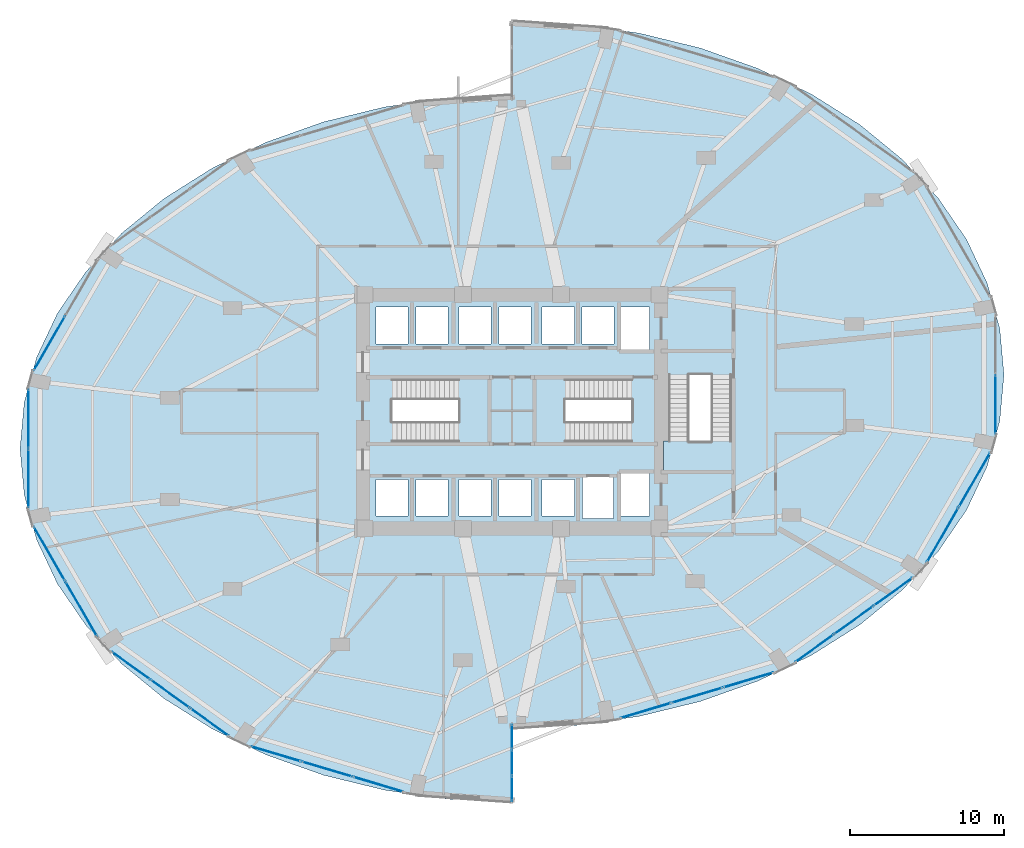
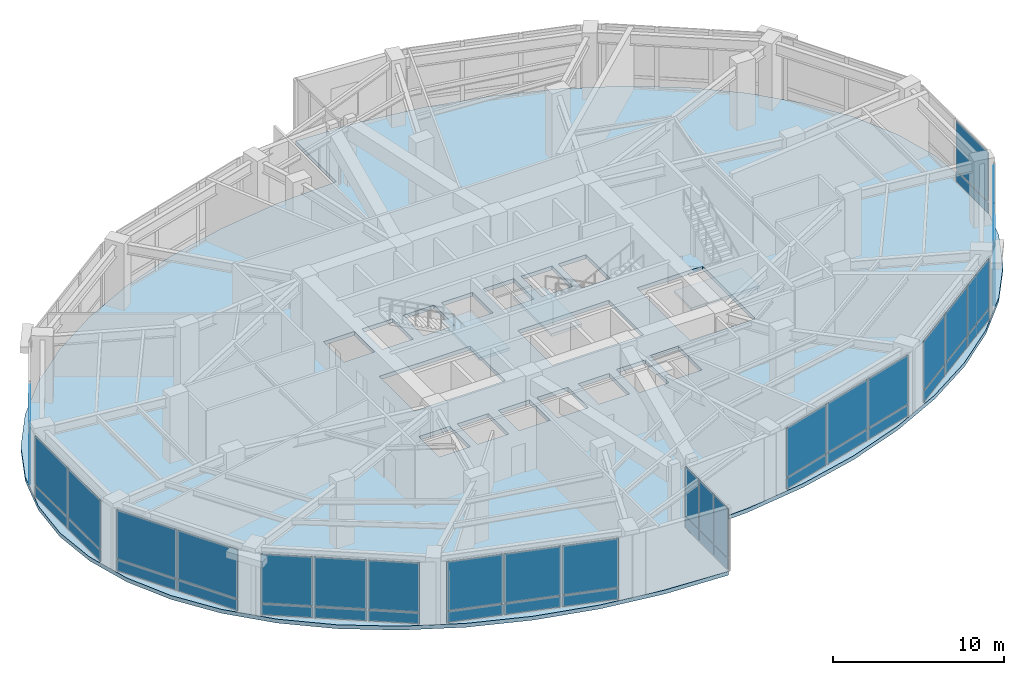
# One storey, part 19 of 24: 46 plates, 4 slabs, 13 elements without a shape of their own.
"""IFC4 building model written with IfcOpenShell, lengths in metres."""

import ifcopenshell
import ifcopenshell.guid

model = None  # the IFC model being written
_history = None  # IfcOwnerHistory: only IFC2X3 demands one
_inside = {}  # id of a spatial element -> (the spatial element, [elements in it])
_under = {}  # id of a project, library or spatial element -> (it, [spatial elements below it])
_declared = {}  # id of a project -> (the project, [libraries it declares])
_typed = {}  # id of a type object -> (the type object, [elements of that type])
_made_of = {}  # id of a material, layer set ... -> (it, [elements and type objects made of it])


def new_model(schema):
    """Start an empty IFC model of exactly this schema.

    Asked for "IFC4X3", IfcOpenShell would pick the latest addendum, in which some entities
    have other attributes; the version numbers below select the first issue.
    IFC2X3 requires an IfcOwnerHistory on every rooted entity: one is made here for all.
    """
    global model, _history
    if schema == "IFC4X3":
        model = ifcopenshell.file(schema_version=(4, 3, 0, 0))
    else:
        model = ifcopenshell.file(schema=schema)
    _inside.clear()
    _under.clear()
    _declared.clear()
    _typed.clear()
    _made_of.clear()
    _history = None
    if model.schema == "IFC2X3":
        org = make("IfcOrganization", Name="unknown")
        user = make(
            "IfcPersonAndOrganization",
            ThePerson=make("IfcPerson", FamilyName="unknown"),
            TheOrganization=org,
        )
        app = make(
            "IfcApplication",
            ApplicationDeveloper=org,
            Version="unknown",
            ApplicationFullName="unknown",
            ApplicationIdentifier="unknown",
        )
        _history = make(
            "IfcOwnerHistory",
            OwningUser=user,
            OwningApplication=app,
            ChangeAction="ADDED",
            CreationDate=0,
        )
    return model


def make(cls, **values):
    """One entity of the class cls with the attributes given. An attribute that is None is left unset."""
    return model.create_entity(
        cls, **{name: value for name, value in values.items() if value is not None}
    )


def rooted(cls, **values):
    """An entity with a GlobalId (a new one), such as an element, a storey or a relation."""
    return make(cls, GlobalId=ifcopenshell.guid.new(), OwnerHistory=_history, **values)


def si_unit(unit_type, name, prefix=None):
    """IfcSIUnit, for example si_unit("LENGTHUNIT", "METRE", prefix="MILLI")."""
    return make("IfcSIUnit", UnitType=unit_type, Prefix=prefix, Name=name)


def assignment(units):
    """IfcUnitAssignment: the units of a project."""
    return None if units is None else make("IfcUnitAssignment", Units=units)


def point(xyz):
    """IfcCartesianPoint."""
    return None if xyz is None else make("IfcCartesianPoint", Coordinates=xyz)


def direction(xyz):
    """IfcDirection."""
    return None if xyz is None else make("IfcDirection", DirectionRatios=xyz)


def frame(location, z_axis=None, x_axis=None):
    """IfcAxis2Placement3D, a coordinate frame: its origin and axes. An axis left out is left unset."""
    return make(
        "IfcAxis2Placement3D",
        Location=point(location),
        Axis=direction(z_axis),
        RefDirection=direction(x_axis),
    )


def frame_2d(location, x_axis=None):
    """IfcAxis2Placement2D, a coordinate frame in the plane: its origin and x axis."""
    return make(
        "IfcAxis2Placement2D", Location=point(location), RefDirection=direction(x_axis)
    )


def origin():
    """The frame at (0, 0, 0) with its axes left unset."""
    return frame((0.0, 0.0, 0.0))


def origin_2d():
    """The frame at (0, 0) in the plane with its x axis left unset."""
    return frame_2d((0.0, 0.0))


def place(relative_to, where):
    """IfcLocalPlacement: puts the frame where relative to a parent placement (None: the world)."""
    return make(
        "IfcLocalPlacement", PlacementRelTo=relative_to, RelativePlacement=where
    )


def context(
    kind, dimensions, precision=None, world=None, true_north=None, identifier=None
):
    """IfcGeometricRepresentationContext, for example the 3D "Model" context."""
    return make(
        "IfcGeometricRepresentationContext",
        ContextIdentifier=identifier,
        ContextType=kind,
        CoordinateSpaceDimension=dimensions,
        Precision=precision,
        WorldCoordinateSystem=world,
        TrueNorth=true_north,
    )


def subcontext(parent, identifier, kind, view, scale=None):
    """IfcGeometricRepresentationSubContext, for example "Body" below "Model"."""
    return make(
        "IfcGeometricRepresentationSubContext",
        ContextIdentifier=identifier,
        ContextType=kind,
        ParentContext=parent,
        TargetScale=scale,
        TargetView=view,
    )


def project(units=None, contexts=None):
    """IfcProject with its units and contexts."""
    return rooted(
        "IfcProject",
        Name="project",
        RepresentationContexts=contexts,
        UnitsInContext=assignment(units),
    )


def spatial(cls, under=None, at=None, **own):
    """A site, building, storey or space (cls), placed at a placement, below another one or the project."""
    s = rooted(cls, ObjectPlacement=at, **own)
    if under is not None:
        _under.setdefault(under.id(), (under, []))[1].append(s)
    return s


def polyline(points):
    """IfcPolyline through the points."""
    return make("IfcPolyline", Points=[point(p) for p in points])


def profile(cls, at=None, kind="AREA", **sizes):
    """A parametric profile (cls). Its sizes go by their IFC names, for example OverallWidth=200.0."""
    return make(cls, ProfileType=kind, Position=at, **sizes)


def rectangle(**sizes):
    """IfcRectangleProfileDef."""
    return profile("IfcRectangleProfileDef", **sizes)


def outline(outer, holes=None, kind="AREA"):
    """IfcArbitraryClosedProfileDef: a profile drawn as a closed curve; with holes, ...WithVoids."""
    if holes is None:
        return make("IfcArbitraryClosedProfileDef", ProfileType=kind, OuterCurve=outer)
    return make(
        "IfcArbitraryProfileDefWithVoids",
        ProfileType=kind,
        OuterCurve=outer,
        InnerCurves=holes,
    )


def extrude(swept, where, along, depth):
    """IfcExtrudedAreaSolid: the profile swept, set in the frame where, extruded along a direction by depth."""
    return make(
        "IfcExtrudedAreaSolid",
        SweptArea=swept,
        Position=where,
        ExtrudedDirection=direction(along),
        Depth=depth,
    )


def shape(context_of_items, identifier, shape_type, items):
    """IfcShapeRepresentation: the items that make up one representation, for example the "Body"."""
    return make(
        "IfcShapeRepresentation",
        ContextOfItems=context_of_items,
        RepresentationIdentifier=identifier,
        RepresentationType=shape_type,
        Items=items,
    )


def material(Name=None, Category=None):
    """IfcMaterial."""
    return make("IfcMaterial", Name=Name, Category=Category)


def layer(
    of_material, thickness, ventilated=None, Name=None, Category=None, Priority=None
):
    """IfcMaterialLayer: one layer of a wall or slab, of a material (None: an air gap)."""
    return make(
        "IfcMaterialLayer",
        Material=of_material,
        LayerThickness=thickness,
        IsVentilated=ventilated,
        Name=Name,
        Category=Category,
        Priority=Priority,
    )


def layer_set(layers, Name=None):
    """IfcMaterialLayerSet."""
    return make("IfcMaterialLayerSet", MaterialLayers=layers, LayerSetName=Name)


def made_of(thing, what):
    """Note that an element or type object is made of a material, layer set ...; save() writes the relation."""
    if what is not None:
        _made_of.setdefault(what.id(), (what, []))[1].append(thing)
    return thing


def type_object(cls, material=None, **own):
    """A type object (cls), such as IfcWallType, which elements share."""
    return made_of(rooted(cls, **own), material)


def element(
    cls,
    number,
    at=None,
    inside=None,
    cuts=None,
    type_object=None,
    material=None,
    context=None,
    identifier="Body",
    shape_type=None,
    held_by="IfcProductDefinitionShape",
    body=None,
    shapes=None,
    **own,
):
    """One element of the class cls, such as IfcWall. Its Tag is "e" and its number.

    at: its placement. inside: the storey or other place that contains it. cuts: it is an
    opening in that element (IfcRelVoidsElement). A single representation is given by context,
    identifier, shape_type and body (its items); several are given by shapes. held_by: the class
    of the entity that holds the representations. save() writes the other relations.
    """
    e = rooted(cls, Tag="e%d" % number, ObjectPlacement=at, **own)
    if body is not None:
        shapes = [shape(context, identifier, shape_type, body)]
    if shapes is not None:
        e.Representation = make(held_by, Representations=shapes)
    if inside is not None:
        _inside.setdefault(inside.id(), (inside, []))[1].append(e)
    if cuts is not None:
        rooted(
            "IfcRelVoidsElement", RelatingBuildingElement=cuts, RelatedOpeningElement=e
        )
    if type_object is not None:
        _typed.setdefault(type_object.id(), (type_object, []))[1].append(e)
    return made_of(e, material)


def aggregate(whole, parts):
    """IfcRelAggregates: a whole, such as a stair, and the parts it consists of."""
    return rooted("IfcRelAggregates", RelatingObject=whole, RelatedObjects=parts)


def save(model, path):
    """Write the relations noted so far, then the file.

    IfcRelAggregates (storeys below a building ...), IfcRelContainedInSpatialStructure (elements
    in a storey), IfcRelDefinesByType, IfcRelAssociatesMaterial and IfcRelDeclares: one each for
    every whole, place, type object, material and project.
    """
    for whole, parts in _under.values():
        aggregate(whole, parts)
    for where, things in _inside.values():
        rooted(
            "IfcRelContainedInSpatialStructure",
            RelatedElements=things,
            RelatingStructure=where,
        )
    for kind, things in _typed.values():
        rooted("IfcRelDefinesByType", RelatedObjects=things, RelatingType=kind)
    for what, things in _made_of.values():
        rooted("IfcRelAssociatesMaterial", RelatedObjects=things, RelatingMaterial=what)
    for by, libraries in _declared.values():
        rooted("IfcRelDeclares", RelatingContext=by, RelatedDefinitions=libraries)
    model.write(path)


model = new_model("IFC4")

# Units and contexts
model_context = context("Model", 3, precision=1e-05, world=origin(), true_north=direction((0.0, 1.0)))
body_context = subcontext(model_context, "Body", "Model", "MODEL_VIEW")
ifc_project = project(units=[si_unit("LENGTHUNIT", "METRE"), si_unit("AREAUNIT", "SQUARE_METRE"), si_unit("VOLUMEUNIT", "CUBIC_METRE"), si_unit("PLANEANGLEUNIT", "RADIAN"), si_unit("MASSUNIT", "GRAM", prefix="KILO")], contexts=[model_context])

# Site, building, storey
site_placement = place(None, origin())
site = spatial("IfcSite", under=ifc_project, at=site_placement, CompositionType="ELEMENT")
building_placement = place(site_placement, origin())
building = spatial("IfcBuilding", under=site, at=building_placement, Name="Lazwardi Medical Tower", CompositionType="ELEMENT")
storey_placement = place(building_placement, frame((0.0, 0.0, 10.800048828125)))
storey = spatial("IfcBuildingStorey", under=building, at=storey_placement, Name="L02", CompositionType="ELEMENT", Elevation=10.800048828125)

# Curtain wall, plates
ifc_material_1 = material(Name="Anodised bronze aluminium and solar control glazing", Category="aluminium")
ifc_layer_1 = layer(ifc_material_1, 0.219970703125)
ifc_layer_set_1 = layer_set([ifc_layer_1], Name="Anodised bronze aluminium and solar control glazing")
curtain_wall_type_1 = type_object("IfcCurtainWallType", Name="CW-SYS-01", PredefinedType="NOTDEFINED", material=ifc_layer_set_1)
curtain_wall_1_placement = place(storey_placement, origin())
curtain_wall_1 = element("IfcCurtainWall", 1, at=curtain_wall_1_placement, inside=storey, type_object=curtain_wall_type_1, Name="L02 Unitised bronze curtain wall CW-01", PredefinedType="NOTDEFINED")
ifc_material_2 = material(Name="Bronze girih ceramic-frit spandrel glazing", Category="glass")
ifc_layer_2 = layer(ifc_material_2, 0.048095703125)
ifc_layer_set_2 = layer_set([ifc_layer_2], Name="Bronze girih ceramic-frit spandrel glazing")
plate_type_1 = type_object("IfcPlateType", Name="PLT-FRT-01", PredefinedType="CURTAIN_PANEL", material=ifc_layer_set_2)
plate_1_placement = place(storey_placement, frame((44.689453125, 8.552001953125, 0.0849609375), z_axis=(0.0, 0.0, 1.0), x_axis=(0.958513482597, 0.285047195531, 0.0)))
plate_1 = element("IfcPlate", 2, at=plate_1_placement, type_object=plate_type_1, Name="CW-01 panel 1.1", PredefinedType="CURTAIN_PANEL", context=body_context, shape_type="SweptSolid", body=[
    extrude(rectangle(XDim=3.380126953125, YDim=0.048095703125, at=origin_2d()), origin(), (0.0, 0.0, 1.0), 0.7724609375),
])
plate_2_placement = place(storey_placement, frame((48.031494140625, 9.5458984375, 0.0849609375), z_axis=(0.0, 0.0, 1.0), x_axis=(0.958513482597, 0.285047195531, 0.0)))
plate_2 = element("IfcPlate", 3, at=plate_2_placement, type_object=plate_type_1, Name="CW-01 panel 2.1", PredefinedType="CURTAIN_PANEL", context=body_context, shape_type="SweptSolid", body=[
    extrude(rectangle(XDim=3.422607421875, YDim=0.048095703125, at=origin_2d()), origin(), (0.0, 0.0, 1.0), 0.7724609375),
])
plate_3_placement = place(storey_placement, frame((51.373291015625, 10.539794921875, 0.0849609375), z_axis=(0.0, 0.0, 1.0), x_axis=(0.958513482597, 0.285047195531, 0.0)))
plate_3 = element("IfcPlate", 4, at=plate_3_placement, type_object=plate_type_1, Name="CW-01 panel 3.1", PredefinedType="CURTAIN_PANEL", context=body_context, shape_type="SweptSolid", body=[
    extrude(rectangle(XDim=3.380126953125, YDim=0.048095703125, at=origin_2d()), origin(), (0.0, 0.0, 1.0), 0.7724609375),
])

curtain_wall_2_placement = place(storey_placement, origin())
curtain_wall_2 = element("IfcCurtainWall", 5, at=curtain_wall_2_placement, inside=storey, type_object=curtain_wall_type_1, Name="L02 Unitised bronze curtain wall CW-01", PredefinedType="NOTDEFINED")
plate_4_placement = place(storey_placement, frame((55.675048828125, 12.603759765625, 0.0849609375), z_axis=(0.0, 0.0, 1.0), x_axis=(0.812318365083, 0.583214260584, 0.0)))
plate_4 = element("IfcPlate", 6, at=plate_4_placement, type_object=plate_type_1, Name="CW-01 panel 1.1", PredefinedType="CURTAIN_PANEL", context=body_context, shape_type="SweptSolid", body=[
    extrude(rectangle(XDim=3.040283203125, YDim=0.048095703125, at=origin_2d()), origin(), (0.0, 0.0, 1.0), 0.7724609375),
])
plate_5_placement = place(storey_placement, frame((58.231201171875, 14.43896484375, 0.0849609375), z_axis=(0.0, 0.0, 1.0), x_axis=(0.812318365083, 0.583214260584, 0.0)))
plate_5 = element("IfcPlate", 7, at=plate_5_placement, type_object=plate_type_1, Name="CW-01 panel 2.1", PredefinedType="CURTAIN_PANEL", context=body_context, shape_type="SweptSolid", body=[
    extrude(rectangle(XDim=3.082763671875, YDim=0.048095703125, at=origin_2d()), origin(), (0.0, 0.0, 1.0), 0.7724609375),
])
plate_6_placement = place(storey_placement, frame((60.787109375, 16.274169921875, 0.0849609375), z_axis=(0.0, 0.0, 1.0), x_axis=(0.812318365083, 0.583214260584, 0.0)))
plate_6 = element("IfcPlate", 8, at=plate_6_placement, type_object=plate_type_1, Name="CW-01 panel 3.1", PredefinedType="CURTAIN_PANEL", context=body_context, shape_type="SweptSolid", body=[
    extrude(rectangle(XDim=3.040283203125, YDim=0.048095703125, at=origin_2d()), origin(), (0.0, 0.0, 1.0), 0.7724609375),
])

curtain_wall_3_placement = place(storey_placement, origin())
curtain_wall_3 = element("IfcCurtainWall", 9, at=curtain_wall_3_placement, inside=storey, type_object=curtain_wall_type_1, Name="L02 Unitised bronze curtain wall CW-01", PredefinedType="NOTDEFINED")
plate_7_placement = place(storey_placement, frame((64.012451171875, 19.969970703125, 0.0849609375), z_axis=(0.0, 0.0, 1.0), x_axis=(0.499731082384, 0.866180607783, 0.0)))
plate_7 = element("IfcPlate", 10, at=plate_7_placement, type_object=plate_type_1, Name="CW-01 panel 1.1", PredefinedType="CURTAIN_PANEL", context=body_context, shape_type="SweptSolid", body=[
    extrude(rectangle(XDim=4.052734375, YDim=0.048095703125, at=origin_2d()), origin(), (0.0, 0.0, 1.0), 0.7724609375),
])
plate_8_placement = place(storey_placement, frame((66.080322265625, 23.553955078125, 0.0849609375), z_axis=(0.0, 0.0, 1.0), x_axis=(0.499731082384, 0.866180607783, 0.0)))
plate_8 = element("IfcPlate", 11, at=plate_8_placement, type_object=plate_type_1, Name="CW-01 panel 2.1", PredefinedType="CURTAIN_PANEL", context=body_context, shape_type="SweptSolid", body=[
    extrude(rectangle(XDim=4.052734375, YDim=0.048095703125, at=origin_2d()), origin(), (0.0, 0.0, 1.0), 0.7724609375),
])

# Curtain wall, plate
curtain_wall_4_placement = place(storey_placement, origin())
curtain_wall_4 = element("IfcCurtainWall", 12, at=curtain_wall_4_placement, inside=storey, type_object=curtain_wall_type_1, Name="L02 Unitised bronze curtain wall CW-01", PredefinedType="NOTDEFINED")
plate_9_placement = place(storey_placement, frame((67.439697265625, 28.461669921875, 0.0849609375), z_axis=(0.0, 0.0, 1.0), x_axis=(0.0, 1.0, 0.0)))
plate_9 = element("IfcPlate", 13, at=plate_9_placement, type_object=plate_type_1, Name="CW-01 panel 1.1", PredefinedType="CURTAIN_PANEL", context=body_context, shape_type="SweptSolid", body=[
    extrude(rectangle(XDim=3.791748046875, YDim=0.048095703125, at=origin_2d()), origin(), (0.0, 0.0, 1.0), 0.7724609375),
])

curtain_wall_5_placement = place(storey_placement, origin())
curtain_wall_5 = element("IfcCurtainWall", 14, at=curtain_wall_5_placement, inside=storey, type_object=curtain_wall_type_1, Name="L02 Unitised bronze curtain wall CW-01", PredefinedType="NOTDEFINED")
plate_10_placement = place(storey_placement, frame((5.919677734375, 32.446044921875, 0.0849609375), z_axis=(0.0, 0.0, 1.0), x_axis=(-0.499731082384, -0.866180607783, 0.0)))
plate_10 = element("IfcPlate", 15, at=plate_10_placement, type_object=plate_type_1, Name="CW-01 panel 2.1", PredefinedType="CURTAIN_PANEL", context=body_context, shape_type="SweptSolid", body=[
    extrude(rectangle(XDim=4.052734375, YDim=0.048095703125, at=origin_2d()), origin(), (0.0, 0.0, 1.0), 0.7724609375),
])

# Curtain wall, plates
curtain_wall_6_placement = place(storey_placement, origin())
curtain_wall_6 = element("IfcCurtainWall", 16, at=curtain_wall_6_placement, inside=storey, type_object=curtain_wall_type_1, Name="L02 Unitised bronze curtain wall CW-01", PredefinedType="NOTDEFINED")
plate_11_placement = place(storey_placement, frame((4.560302734375, 27.538330078125, 0.0849609375), z_axis=(0.0, 0.0, 1.0), x_axis=(0.0, -1.0, 0.0)))
plate_11 = element("IfcPlate", 17, at=plate_11_placement, type_object=plate_type_1, Name="CW-01 panel 1.1", PredefinedType="CURTAIN_PANEL", context=body_context, shape_type="SweptSolid", body=[
    extrude(rectangle(XDim=3.791748046875, YDim=0.048095703125, at=origin_2d()), origin(), (0.0, 0.0, 1.0), 0.7724609375),
])
plate_12_placement = place(storey_placement, frame((4.560302734375, 23.66162109375, 0.0849609375), z_axis=(0.0, 0.0, 1.0), x_axis=(0.0, -1.0, 0.0)))
plate_12 = element("IfcPlate", 18, at=plate_12_placement, type_object=plate_type_1, Name="CW-01 panel 2.1", PredefinedType="CURTAIN_PANEL", context=body_context, shape_type="SweptSolid", body=[
    extrude(rectangle(XDim=3.791748046875, YDim=0.048095703125, at=origin_2d()), origin(), (0.0, 0.0, 1.0), 0.7724609375),
])

curtain_wall_7_placement = place(storey_placement, origin())
curtain_wall_7 = element("IfcCurtainWall", 19, at=curtain_wall_7_placement, inside=storey, type_object=curtain_wall_type_1, Name="L02 Unitised bronze curtain wall CW-01", PredefinedType="NOTDEFINED")
plate_13_placement = place(storey_placement, frame((5.919677734375, 18.75390625, 0.0849609375), z_axis=(0.0, 0.0, 1.0), x_axis=(0.499731082384, -0.866180607783, 0.0)))
plate_13 = element("IfcPlate", 20, at=plate_13_placement, type_object=plate_type_1, Name="CW-01 panel 1.1", PredefinedType="CURTAIN_PANEL", context=body_context, shape_type="SweptSolid", body=[
    extrude(rectangle(XDim=4.052734375, YDim=0.048095703125, at=origin_2d()), origin(), (0.0, 0.0, 1.0), 0.7724609375),
])
plate_14_placement = place(storey_placement, frame((7.987548828125, 15.169921875, 0.0849609375), z_axis=(0.0, 0.0, 1.0), x_axis=(0.499731082384, -0.866180607783, 0.0)))
plate_14 = element("IfcPlate", 21, at=plate_14_placement, type_object=plate_type_1, Name="CW-01 panel 2.1", PredefinedType="CURTAIN_PANEL", context=body_context, shape_type="SweptSolid", body=[
    extrude(rectangle(XDim=4.052734375, YDim=0.048095703125, at=origin_2d()), origin(), (0.0, 0.0, 1.0), 0.7724609375),
])

curtain_wall_8_placement = place(storey_placement, origin())
curtain_wall_8 = element("IfcCurtainWall", 22, at=curtain_wall_8_placement, inside=storey, type_object=curtain_wall_type_1, Name="L02 Unitised bronze curtain wall CW-01", PredefinedType="NOTDEFINED")
plate_15_placement = place(storey_placement, frame((11.212890625, 11.47412109375, 0.0849609375), z_axis=(0.0, 0.0, 1.0), x_axis=(0.812318365083, -0.583214260584, 0.0)))
plate_15 = element("IfcPlate", 23, at=plate_15_placement, type_object=plate_type_1, Name="CW-01 panel 1.1", PredefinedType="CURTAIN_PANEL", context=body_context, shape_type="SweptSolid", body=[
    extrude(rectangle(XDim=3.040283203125, YDim=0.048095703125, at=origin_2d()), origin(), (0.0, 0.0, 1.0), 0.7724609375),
])
plate_16_placement = place(storey_placement, frame((13.768798828125, 9.638916015625, 0.0849609375), z_axis=(0.0, 0.0, 1.0), x_axis=(0.812318365083, -0.583214260584, 0.0)))
plate_16 = element("IfcPlate", 24, at=plate_16_placement, type_object=plate_type_1, Name="CW-01 panel 2.1", PredefinedType="CURTAIN_PANEL", context=body_context, shape_type="SweptSolid", body=[
    extrude(rectangle(XDim=3.082763671875, YDim=0.048095703125, at=origin_2d()), origin(), (0.0, 0.0, 1.0), 0.7724609375),
])
plate_17_placement = place(storey_placement, frame((16.324951171875, 7.803955078125, 0.0849609375), z_axis=(0.0, 0.0, 1.0), x_axis=(0.812318365083, -0.583214260584, 0.0)))
plate_17 = element("IfcPlate", 25, at=plate_17_placement, type_object=plate_type_1, Name="CW-01 panel 3.1", PredefinedType="CURTAIN_PANEL", context=body_context, shape_type="SweptSolid", body=[
    extrude(rectangle(XDim=3.040283203125, YDim=0.048095703125, at=origin_2d()), origin(), (0.0, 0.0, 1.0), 0.7724609375),
])

curtain_wall_9_placement = place(storey_placement, origin())
curtain_wall_9 = element("IfcCurtainWall", 26, at=curtain_wall_9_placement, inside=storey, type_object=curtain_wall_type_1, Name="L02 Unitised bronze curtain wall CW-01", PredefinedType="NOTDEFINED")
plate_18_placement = place(storey_placement, frame((20.626708984375, 5.73974609375, 0.0849609375), z_axis=(0.0, 0.0, 1.0), x_axis=(0.958513482597, -0.285047195531, 0.0)))
plate_18 = element("IfcPlate", 27, at=plate_18_placement, type_object=plate_type_1, Name="CW-01 panel 1.1", PredefinedType="CURTAIN_PANEL", context=body_context, shape_type="SweptSolid", body=[
    extrude(rectangle(XDim=3.380126953125, YDim=0.048095703125, at=origin_2d()), origin(), (0.0, 0.0, 1.0), 0.7724609375),
])
plate_19_placement = place(storey_placement, frame((23.968505859375, 4.745849609375, 0.0849609375), z_axis=(0.0, 0.0, 1.0), x_axis=(0.958513482597, -0.285047195531, 0.0)))
plate_19 = element("IfcPlate", 28, at=plate_19_placement, type_object=plate_type_1, Name="CW-01 panel 2.1", PredefinedType="CURTAIN_PANEL", context=body_context, shape_type="SweptSolid", body=[
    extrude(rectangle(XDim=3.422607421875, YDim=0.048095703125, at=origin_2d()), origin(), (0.0, 0.0, 1.0), 0.7724609375),
])
plate_20_placement = place(storey_placement, frame((27.310546875, 3.752197265625, 0.0849609375), z_axis=(0.0, 0.0, 1.0), x_axis=(0.958513482597, -0.285047195531, 0.0)))
plate_20 = element("IfcPlate", 29, at=plate_20_placement, type_object=plate_type_1, Name="CW-01 panel 3.1", PredefinedType="CURTAIN_PANEL", context=body_context, shape_type="SweptSolid", body=[
    extrude(rectangle(XDim=3.380126953125, YDim=0.048095703125, at=origin_2d()), origin(), (0.0, 0.0, 1.0), 0.7724609375),
])

# Plate
ifc_material_3 = material(Name="Laminated acoustic bronze double glazing", Category="glass")
ifc_layer_3 = layer(ifc_material_3, 0.0419921875)
ifc_layer_set_3 = layer_set([ifc_layer_3], Name="Laminated acoustic bronze double glazing")
plate_type_2 = type_object("IfcPlateType", Name="PLT-GLZ-02", PredefinedType="CURTAIN_PANEL", material=ifc_layer_set_3)
plate_21_placement = place(storey_placement, frame((44.689453125, 8.552001953125, 0.9423828125), z_axis=(0.0, 0.0, 1.0), x_axis=(0.958513482597, 0.285047195531, 0.0)))
plate_21 = element("IfcPlate", 30, at=plate_21_placement, type_object=plate_type_2, Name="CW-01 panel 1.2", PredefinedType="CURTAIN_PANEL", context=body_context, shape_type="SweptSolid", body=[
    extrude(rectangle(XDim=3.380126953125, YDim=0.0419921875, at=origin_2d()), origin(), (0.0, 0.0, 1.0), 3.492431640625),
])

plate_22_placement = place(storey_placement, frame((48.031494140625, 9.5458984375, 0.9423828125), z_axis=(0.0, 0.0, 1.0), x_axis=(0.958513482597, 0.285047195531, 0.0)))
plate_22 = element("IfcPlate", 31, at=plate_22_placement, type_object=plate_type_2, Name="CW-01 panel 2.2", PredefinedType="CURTAIN_PANEL", context=body_context, shape_type="SweptSolid", body=[
    extrude(rectangle(XDim=3.422607421875, YDim=0.0419921875, at=origin_2d()), origin(), (0.0, 0.0, 1.0), 3.492431640625),
])

plate_23_placement = place(storey_placement, frame((51.373291015625, 10.539794921875, 0.9423828125), z_axis=(0.0, 0.0, 1.0), x_axis=(0.958513482597, 0.285047195531, 0.0)))
plate_23 = element("IfcPlate", 32, at=plate_23_placement, type_object=plate_type_2, Name="CW-01 panel 3.2", PredefinedType="CURTAIN_PANEL", context=body_context, shape_type="SweptSolid", body=[
    extrude(rectangle(XDim=3.380126953125, YDim=0.0419921875, at=origin_2d()), origin(), (0.0, 0.0, 1.0), 3.492431640625),
])

aggregate(curtain_wall_1, [plate_1, plate_21, plate_2, plate_22, plate_3, plate_23])

plate_24_placement = place(storey_placement, frame((55.675048828125, 12.603759765625, 0.9423828125), z_axis=(0.0, 0.0, 1.0), x_axis=(0.812318365083, 0.583214260584, 0.0)))
plate_24 = element("IfcPlate", 33, at=plate_24_placement, type_object=plate_type_2, Name="CW-01 panel 1.2", PredefinedType="CURTAIN_PANEL", context=body_context, shape_type="SweptSolid", body=[
    extrude(rectangle(XDim=3.040283203125, YDim=0.0419921875, at=origin_2d()), origin(), (0.0, 0.0, 1.0), 3.492431640625),
])

plate_25_placement = place(storey_placement, frame((58.231201171875, 14.43896484375, 0.9423828125), z_axis=(0.0, 0.0, 1.0), x_axis=(0.812318365083, 0.583214260584, 0.0)))
plate_25 = element("IfcPlate", 34, at=plate_25_placement, type_object=plate_type_2, Name="CW-01 panel 2.2", PredefinedType="CURTAIN_PANEL", context=body_context, shape_type="SweptSolid", body=[
    extrude(rectangle(XDim=3.082763671875, YDim=0.0419921875, at=origin_2d()), origin(), (0.0, 0.0, 1.0), 3.492431640625),
])

plate_26_placement = place(storey_placement, frame((60.787109375, 16.274169921875, 0.9423828125), z_axis=(0.0, 0.0, 1.0), x_axis=(0.812318365083, 0.583214260584, 0.0)))
plate_26 = element("IfcPlate", 35, at=plate_26_placement, type_object=plate_type_2, Name="CW-01 panel 3.2", PredefinedType="CURTAIN_PANEL", context=body_context, shape_type="SweptSolid", body=[
    extrude(rectangle(XDim=3.040283203125, YDim=0.0419921875, at=origin_2d()), origin(), (0.0, 0.0, 1.0), 3.492431640625),
])

aggregate(curtain_wall_2, [plate_4, plate_24, plate_5, plate_25, plate_6, plate_26])

plate_27_placement = place(storey_placement, frame((64.012451171875, 19.969970703125, 0.9423828125), z_axis=(0.0, 0.0, 1.0), x_axis=(0.499731082384, 0.866180607783, 0.0)))
plate_27 = element("IfcPlate", 36, at=plate_27_placement, type_object=plate_type_2, Name="CW-01 panel 1.2", PredefinedType="CURTAIN_PANEL", context=body_context, shape_type="SweptSolid", body=[
    extrude(rectangle(XDim=4.052734375, YDim=0.0419921875, at=origin_2d()), origin(), (0.0, 0.0, 1.0), 3.492431640625),
])

plate_28_placement = place(storey_placement, frame((66.080322265625, 23.553955078125, 0.9423828125), z_axis=(0.0, 0.0, 1.0), x_axis=(0.499731082384, 0.866180607783, 0.0)))
plate_28 = element("IfcPlate", 37, at=plate_28_placement, type_object=plate_type_2, Name="CW-01 panel 2.2", PredefinedType="CURTAIN_PANEL", context=body_context, shape_type="SweptSolid", body=[
    extrude(rectangle(XDim=4.052734375, YDim=0.0419921875, at=origin_2d()), origin(), (0.0, 0.0, 1.0), 3.492431640625),
])

aggregate(curtain_wall_3, [plate_7, plate_27, plate_8, plate_28])

plate_29_placement = place(storey_placement, frame((67.439697265625, 28.461669921875, 0.9423828125), z_axis=(0.0, 0.0, 1.0), x_axis=(0.0, 1.0, 0.0)))
plate_29 = element("IfcPlate", 38, at=plate_29_placement, type_object=plate_type_2, Name="CW-01 panel 1.2", PredefinedType="CURTAIN_PANEL", context=body_context, shape_type="SweptSolid", body=[
    extrude(rectangle(XDim=3.791748046875, YDim=0.0419921875, at=origin_2d()), origin(), (0.0, 0.0, 1.0), 3.492431640625),
])

aggregate(curtain_wall_4, [plate_9, plate_29])

plate_30_placement = place(storey_placement, frame((5.919677734375, 32.446044921875, 0.9423828125), z_axis=(0.0, 0.0, 1.0), x_axis=(-0.499731082384, -0.866180607783, 0.0)))
plate_30 = element("IfcPlate", 39, at=plate_30_placement, type_object=plate_type_2, Name="CW-01 panel 2.2", PredefinedType="CURTAIN_PANEL", context=body_context, shape_type="SweptSolid", body=[
    extrude(rectangle(XDim=4.052734375, YDim=0.0419921875, at=origin_2d()), origin(), (0.0, 0.0, 1.0), 3.492431640625),
])

aggregate(curtain_wall_5, [plate_10, plate_30])

plate_31_placement = place(storey_placement, frame((4.560302734375, 27.538330078125, 0.9423828125), z_axis=(0.0, 0.0, 1.0), x_axis=(0.0, -1.0, 0.0)))
plate_31 = element("IfcPlate", 40, at=plate_31_placement, type_object=plate_type_2, Name="CW-01 panel 1.2", PredefinedType="CURTAIN_PANEL", context=body_context, shape_type="SweptSolid", body=[
    extrude(rectangle(XDim=3.791748046875, YDim=0.0419921875, at=origin_2d()), origin(), (0.0, 0.0, 1.0), 3.492431640625),
])

plate_32_placement = place(storey_placement, frame((4.560302734375, 23.66162109375, 0.9423828125), z_axis=(0.0, 0.0, 1.0), x_axis=(0.0, -1.0, 0.0)))
plate_32 = element("IfcPlate", 41, at=plate_32_placement, type_object=plate_type_2, Name="CW-01 panel 2.2", PredefinedType="CURTAIN_PANEL", context=body_context, shape_type="SweptSolid", body=[
    extrude(rectangle(XDim=3.791748046875, YDim=0.0419921875, at=origin_2d()), origin(), (0.0, 0.0, 1.0), 3.492431640625),
])

aggregate(curtain_wall_6, [plate_11, plate_31, plate_12, plate_32])

plate_33_placement = place(storey_placement, frame((5.919677734375, 18.75390625, 0.9423828125), z_axis=(0.0, 0.0, 1.0), x_axis=(0.499731082384, -0.866180607783, 0.0)))
plate_33 = element("IfcPlate", 42, at=plate_33_placement, type_object=plate_type_2, Name="CW-01 panel 1.2", PredefinedType="CURTAIN_PANEL", context=body_context, shape_type="SweptSolid", body=[
    extrude(rectangle(XDim=4.052734375, YDim=0.0419921875, at=origin_2d()), origin(), (0.0, 0.0, 1.0), 3.492431640625),
])

plate_34_placement = place(storey_placement, frame((7.987548828125, 15.169921875, 0.9423828125), z_axis=(0.0, 0.0, 1.0), x_axis=(0.499731082384, -0.866180607783, 0.0)))
plate_34 = element("IfcPlate", 43, at=plate_34_placement, type_object=plate_type_2, Name="CW-01 panel 2.2", PredefinedType="CURTAIN_PANEL", context=body_context, shape_type="SweptSolid", body=[
    extrude(rectangle(XDim=4.052734375, YDim=0.0419921875, at=origin_2d()), origin(), (0.0, 0.0, 1.0), 3.492431640625),
])

aggregate(curtain_wall_7, [plate_13, plate_33, plate_14, plate_34])

plate_35_placement = place(storey_placement, frame((11.212890625, 11.47412109375, 0.9423828125), z_axis=(0.0, 0.0, 1.0), x_axis=(0.812318365083, -0.583214260584, 0.0)))
plate_35 = element("IfcPlate", 44, at=plate_35_placement, type_object=plate_type_2, Name="CW-01 panel 1.2", PredefinedType="CURTAIN_PANEL", context=body_context, shape_type="SweptSolid", body=[
    extrude(rectangle(XDim=3.040283203125, YDim=0.0419921875, at=origin_2d()), origin(), (0.0, 0.0, 1.0), 3.492431640625),
])

plate_36_placement = place(storey_placement, frame((13.768798828125, 9.638916015625, 0.9423828125), z_axis=(0.0, 0.0, 1.0), x_axis=(0.812318365083, -0.583214260584, 0.0)))
plate_36 = element("IfcPlate", 45, at=plate_36_placement, type_object=plate_type_2, Name="CW-01 panel 2.2", PredefinedType="CURTAIN_PANEL", context=body_context, shape_type="SweptSolid", body=[
    extrude(rectangle(XDim=3.082763671875, YDim=0.0419921875, at=origin_2d()), origin(), (0.0, 0.0, 1.0), 3.492431640625),
])

plate_37_placement = place(storey_placement, frame((16.324951171875, 7.803955078125, 0.9423828125), z_axis=(0.0, 0.0, 1.0), x_axis=(0.812318365083, -0.583214260584, 0.0)))
plate_37 = element("IfcPlate", 46, at=plate_37_placement, type_object=plate_type_2, Name="CW-01 panel 3.2", PredefinedType="CURTAIN_PANEL", context=body_context, shape_type="SweptSolid", body=[
    extrude(rectangle(XDim=3.040283203125, YDim=0.0419921875, at=origin_2d()), origin(), (0.0, 0.0, 1.0), 3.492431640625),
])

aggregate(curtain_wall_8, [plate_15, plate_35, plate_16, plate_36, plate_17, plate_37])

plate_38_placement = place(storey_placement, frame((20.626708984375, 5.73974609375, 0.9423828125), z_axis=(0.0, 0.0, 1.0), x_axis=(0.958513482597, -0.285047195531, 0.0)))
plate_38 = element("IfcPlate", 47, at=plate_38_placement, type_object=plate_type_2, Name="CW-01 panel 1.2", PredefinedType="CURTAIN_PANEL", context=body_context, shape_type="SweptSolid", body=[
    extrude(rectangle(XDim=3.380126953125, YDim=0.0419921875, at=origin_2d()), origin(), (0.0, 0.0, 1.0), 3.492431640625),
])

plate_39_placement = place(storey_placement, frame((23.968505859375, 4.745849609375, 0.9423828125), z_axis=(0.0, 0.0, 1.0), x_axis=(0.958513482597, -0.285047195531, 0.0)))
plate_39 = element("IfcPlate", 48, at=plate_39_placement, type_object=plate_type_2, Name="CW-01 panel 2.2", PredefinedType="CURTAIN_PANEL", context=body_context, shape_type="SweptSolid", body=[
    extrude(rectangle(XDim=3.422607421875, YDim=0.0419921875, at=origin_2d()), origin(), (0.0, 0.0, 1.0), 3.492431640625),
])

plate_40_placement = place(storey_placement, frame((27.310546875, 3.752197265625, 0.9423828125), z_axis=(0.0, 0.0, 1.0), x_axis=(0.958513482597, -0.285047195531, 0.0)))
plate_40 = element("IfcPlate", 49, at=plate_40_placement, type_object=plate_type_2, Name="CW-01 panel 3.2", PredefinedType="CURTAIN_PANEL", context=body_context, shape_type="SweptSolid", body=[
    extrude(rectangle(XDim=3.380126953125, YDim=0.0419921875, at=origin_2d()), origin(), (0.0, 0.0, 1.0), 3.492431640625),
])

aggregate(curtain_wall_9, [plate_18, plate_38, plate_19, plate_39, plate_20, plate_40])

# Curtain wall, plates
ifc_layer_4 = layer(ifc_material_1, 0.2099609375)
ifc_layer_set_4 = layer_set([ifc_layer_4], Name="Anodised bronze aluminium and solar control glazing")
curtain_wall_type_2 = type_object("IfcCurtainWallType", Name="CW-SYS-06", PredefinedType="NOTDEFINED", material=ifc_layer_set_4)
curtain_wall_10_placement = place(storey_placement, origin())
curtain_wall_10 = element("IfcCurtainWall", 50, at=curtain_wall_10_placement, inside=storey, type_object=curtain_wall_type_2, Name="L02 Unitised bronze curtain wall CW-06", PredefinedType="NOTDEFINED")
ifc_material_4 = material(Name="Turquoise glazed ceramic insulated panel", Category="glass")
ifc_layer_5 = layer(ifc_material_4, 0.053955078125)
ifc_layer_set_5 = layer_set([ifc_layer_5], Name="Turquoise glazed ceramic insulated panel")
plate_type_3 = type_object("IfcPlateType", Name="PLT-TRQ-01", PredefinedType="CURTAIN_PANEL", material=ifc_layer_set_5)
plate_41_placement = place(storey_placement, frame((36.0, 3.47216796875, 0.074951171875), z_axis=(0.0, 0.0, 1.0), x_axis=(0.0, 1.0, 0.0)))
plate_41 = element("IfcPlate", 51, at=plate_41_placement, type_object=plate_type_3, Name="CW-06 panel 1.1", PredefinedType="CURTAIN_PANEL", context=body_context, shape_type="SweptSolid", body=[
    extrude(rectangle(XDim=1.59423828125, YDim=0.053955078125, at=origin_2d()), origin(), (0.0, 0.0, 1.0), 0.78759765625),
])
plate_42_placement = place(storey_placement, frame((36.0, 3.47216796875, 0.9375), z_axis=(0.0, 0.0, 1.0), x_axis=(0.0, 1.0, 0.0)))
plate_42 = element("IfcPlate", 52, at=plate_42_placement, type_object=plate_type_3, Name="CW-06 panel 1.2", PredefinedType="CURTAIN_PANEL", context=body_context, shape_type="SweptSolid", body=[
    extrude(rectangle(XDim=1.59423828125, YDim=0.053955078125, at=origin_2d()), origin(), (0.0, 0.0, 1.0), 3.507568359375),
])
plate_43_placement = place(storey_placement, frame((36.0, 5.159912109375, 0.074951171875), z_axis=(0.0, 0.0, 1.0), x_axis=(0.0, 1.0, 0.0)))
plate_43 = element("IfcPlate", 53, at=plate_43_placement, type_object=plate_type_3, Name="CW-06 panel 2.1", PredefinedType="CURTAIN_PANEL", context=body_context, shape_type="SweptSolid", body=[
    extrude(rectangle(XDim=1.631591796875, YDim=0.053955078125, at=origin_2d()), origin(), (0.0, 0.0, 1.0), 0.78759765625),
])
plate_44_placement = place(storey_placement, frame((36.0, 5.159912109375, 0.9375), z_axis=(0.0, 0.0, 1.0), x_axis=(0.0, 1.0, 0.0)))
plate_44 = element("IfcPlate", 54, at=plate_44_placement, type_object=plate_type_3, Name="CW-06 panel 2.2", PredefinedType="CURTAIN_PANEL", context=body_context, shape_type="SweptSolid", body=[
    extrude(rectangle(XDim=1.631591796875, YDim=0.053955078125, at=origin_2d()), origin(), (0.0, 0.0, 1.0), 3.507568359375),
])
plate_45_placement = place(storey_placement, frame((36.0, 6.847900390625, 0.074951171875), z_axis=(0.0, 0.0, 1.0), x_axis=(0.0, 1.0, 0.0)))
plate_45 = element("IfcPlate", 55, at=plate_45_placement, type_object=plate_type_3, Name="CW-06 panel 3.1", PredefinedType="CURTAIN_PANEL", context=body_context, shape_type="SweptSolid", body=[
    extrude(rectangle(XDim=1.59423828125, YDim=0.053955078125, at=origin_2d()), origin(), (0.0, 0.0, 1.0), 0.78759765625),
])
plate_46_placement = place(storey_placement, frame((36.0, 6.847900390625, 0.9375), z_axis=(0.0, 0.0, 1.0), x_axis=(0.0, 1.0, 0.0)))
plate_46 = element("IfcPlate", 56, at=plate_46_placement, type_object=plate_type_3, Name="CW-06 panel 3.2", PredefinedType="CURTAIN_PANEL", context=body_context, shape_type="SweptSolid", body=[
    extrude(rectangle(XDim=1.59423828125, YDim=0.053955078125, at=origin_2d()), origin(), (0.0, 0.0, 1.0), 3.507568359375),
])
aggregate(curtain_wall_10, [plate_41, plate_42, plate_43, plate_44, plate_45, plate_46])

# Stair, slab
ifc_material_5 = material(Name="Concrete C45/55", Category="concrete")
stair_type = type_object("IfcStairType", Name="STR-POD", PredefinedType="HALF_TURN_STAIR", material=ifc_material_5)
stair_1_placement = place(storey_placement, origin())
stair_1 = element("IfcStair", 57, at=stair_1_placement, inside=storey, type_object=stair_type, Name="L02 Protected Exit Stair ST1", PredefinedType="HALF_TURN_STAIR")
ifc_layer_6 = layer(ifc_material_5, 0.199951171875)
ifc_layer_set_6 = layer_set([ifc_layer_6], Name="Concrete C45/55")
slab_type_1 = type_object("IfcSlabType", Name="SLB-LND-190", PredefinedType="LANDING", material=ifc_layer_set_6)
slab_1_placement = place(storey_placement, frame((0.0, 0.0, 2.199951171875)))
slab_1 = element("IfcSlab", 58, at=slab_1_placement, type_object=slab_type_1, Name="ST1 landing 1", PredefinedType="LANDING", context=body_context, shape_type="SweptSolid", body=[
    extrude(outline(polyline([(32.514892578125, 25.840087890625), (34.580078125, 25.840087890625), (34.580078125, 30.280029296875), (32.514892578125, 30.280029296875), (32.514892578125, 25.840087890625)])), origin(), (0.0, 0.0, 1.0), 0.199951171875),
])
aggregate(stair_1, [slab_1])

stair_2_placement = place(storey_placement, origin())
stair_2 = element("IfcStair", 59, at=stair_2_placement, inside=storey, type_object=stair_type, Name="L02 Protected Exit Stair ST2", PredefinedType="HALF_TURN_STAIR")
slab_2_placement = place(storey_placement, frame((0.0, 0.0, 2.199951171875)))
slab_2 = element("IfcSlab", 60, at=slab_2_placement, type_object=slab_type_1, Name="ST2 landing 1", PredefinedType="LANDING", context=body_context, shape_type="SweptSolid", body=[
    extrude(outline(polyline([(39.485107421875, 30.280029296875), (37.419921875, 30.280029296875), (37.419921875, 25.840087890625), (39.485107421875, 25.840087890625), (39.485107421875, 30.280029296875)])), origin(), (0.0, 0.0, 1.0), 0.199951171875),
])
aggregate(stair_2, [slab_2])

stair_3_placement = place(storey_placement, origin())
stair_3 = element("IfcStair", 61, at=stair_3_placement, inside=storey, type_object=stair_type, Name="L02 Protected Exit Stair ST3", PredefinedType="HALF_TURN_STAIR")
slab_3_placement = place(storey_placement, frame((0.0, 0.0, 2.199951171875)))
slab_3 = element("IfcSlab", 62, at=slab_3_placement, type_object=slab_type_1, Name="ST3 landing 1", PredefinedType="LANDING", context=body_context, shape_type="SweptSolid", body=[
    extrude(outline(polyline([(45.860107421875, 26.0849609375), (45.860107421875, 24.02001953125), (50.4599609375, 24.02001953125), (50.4599609375, 26.0849609375), (45.860107421875, 26.0849609375)])), origin(), (0.0, 0.0, 1.0), 0.199951171875),
])
aggregate(stair_3, [slab_3])

# Slab
ifc_material_6 = material(Name="Concrete C50/60", Category="concrete")
ifc_layer_7 = layer(ifc_material_6, 0.280029296875)
ifc_layer_set_7 = layer_set([ifc_layer_7], Name="Concrete C50/60")
slab_type_2 = type_object("IfcSlabType", Name="SLB-POD-280", PredefinedType="FLOOR", material=ifc_layer_set_7)
slab_4_placement = place(storey_placement, frame((0.0, 0.0, -0.280029296875)))
element("IfcSlab", 63, at=slab_4_placement, inside=storey, type_object=slab_type_2, Name="Structural floor slab SF-01 L02", PredefinedType="FLOOR", context=body_context, shape_type="SweptSolid", body=[
    extrude(outline(polyline([(6.435791015625, 34.401611328125), (5.09033203125, 31.552734375), (4.273681640625, 28.60205078125), (4.0, 25.60009765625), (4.273681640625, 22.597900390625), (5.09033203125, 19.647216796875), (6.435791015625, 16.79833984375), (8.287109375, 14.10009765625), (10.61279296875, 11.598388671875), (13.37255859375, 9.33642578125), (16.51953125, 7.352783203125), (20.0, 5.681396484375), (23.754150390625, 4.350830078125), (27.7177734375, 3.3837890625), (31.8232421875, 2.796875), (36.0, 2.60009765625), (36.0, 7.39990234375), (40.1767578125, 7.5966796875), (44.2822265625, 8.18359375), (48.245849609375, 9.15087890625), (52.0, 10.4814453125), (55.48046875, 12.15283203125), (58.62744140625, 14.136474609375), (61.38720703125, 16.3984375), (63.712890625, 18.89990234375), (65.564208984375, 21.598388671875), (66.90966796875, 24.447265625), (67.726318359375, 27.39794921875), (68.0, 30.39990234375), (67.726318359375, 33.402099609375), (66.90966796875, 36.352783203125), (65.564208984375, 39.20166015625), (63.712890625, 41.89990234375), (61.38720703125, 44.401611328125), (58.62744140625, 46.66357421875), (55.48046875, 48.647216796875), (52.0, 50.318603515625), (48.245849609375, 51.649169921875), (44.2822265625, 52.6162109375), (40.1767578125, 53.203125), (36.0, 53.39990234375), (36.0, 48.60009765625), (31.8232421875, 48.4033203125), (27.7177734375, 47.81640625), (23.754150390625, 46.84912109375), (20.0, 45.5185546875), (16.51953125, 43.84716796875), (13.37255859375, 41.863525390625), (10.61279296875, 39.6015625), (8.287109375, 37.10009765625), (6.435791015625, 34.401611328125)]), holes=[polyline([(28.22509765625, 26.02001953125), (28.22509765625, 30.10009765625), (34.39990234375, 30.10009765625), (34.39990234375, 26.02001953125), (28.22509765625, 26.02001953125)]), polyline([(37.60009765625, 30.10009765625), (43.77490234375, 30.10009765625), (43.77490234375, 26.02001953125), (37.60009765625, 26.02001953125), (37.60009765625, 30.10009765625)]), polyline([(50.280029296875, 30.375), (50.280029296875, 24.179931640625), (45.840087890625, 24.179931640625), (45.840087890625, 30.375), (50.280029296875, 30.375)]), polyline([(29.25, 32.39990234375), (27.14990234375, 32.39990234375), (27.14990234375, 34.800048828125), (29.25, 34.800048828125), (29.25, 32.39990234375)]), polyline([(29.75, 32.39990234375), (29.75, 34.800048828125), (31.85009765625, 34.800048828125), (31.85009765625, 32.39990234375), (29.75, 32.39990234375)]), polyline([(27.14990234375, 23.60009765625), (29.25, 23.60009765625), (29.25, 21.199951171875), (27.14990234375, 21.199951171875), (27.14990234375, 23.60009765625)]), polyline([(31.85009765625, 23.60009765625), (31.85009765625, 21.199951171875), (29.75, 21.199951171875), (29.75, 23.60009765625), (31.85009765625, 23.60009765625)]), polyline([(34.64990234375, 32.39990234375), (32.550048828125, 32.39990234375), (32.550048828125, 34.800048828125), (34.64990234375, 34.800048828125), (34.64990234375, 32.39990234375)]), polyline([(35.14990234375, 32.39990234375), (35.14990234375, 34.800048828125), (37.25, 34.800048828125), (37.25, 32.39990234375), (35.14990234375, 32.39990234375)]), polyline([(32.550048828125, 23.60009765625), (34.64990234375, 23.60009765625), (34.64990234375, 21.199951171875), (32.550048828125, 21.199951171875), (32.550048828125, 23.60009765625)]), polyline([(37.25, 23.60009765625), (37.25, 21.199951171875), (35.14990234375, 21.199951171875), (35.14990234375, 23.60009765625), (37.25, 23.60009765625)]), polyline([(40.050048828125, 32.39990234375), (37.949951171875, 32.39990234375), (37.949951171875, 34.800048828125), (40.050048828125, 34.800048828125), (40.050048828125, 32.39990234375)]), polyline([(40.550048828125, 32.39990234375), (40.550048828125, 34.800048828125), (42.64990234375, 34.800048828125), (42.64990234375, 32.39990234375), (40.550048828125, 32.39990234375)]), polyline([(37.949951171875, 23.60009765625), (40.050048828125, 23.60009765625), (40.050048828125, 21.199951171875), (37.949951171875, 21.199951171875), (37.949951171875, 23.60009765625)]), polyline([(44.949951171875, 34.800048828125), (44.949951171875, 32.0), (43.050048828125, 32.0), (43.050048828125, 34.800048828125), (44.949951171875, 34.800048828125)]), polyline([(44.949951171875, 21.199951171875), (43.050048828125, 21.199951171875), (43.050048828125, 24.0), (44.949951171875, 24.0), (44.949951171875, 21.199951171875)]), polyline([(40.60009765625, 21.050048828125), (40.60009765625, 23.75), (42.60009765625, 23.75), (42.60009765625, 21.050048828125), (40.60009765625, 21.050048828125)])]), origin(), (0.0, 0.0, 1.0), 0.280029296875),
])

save(model, "model.ifc")
